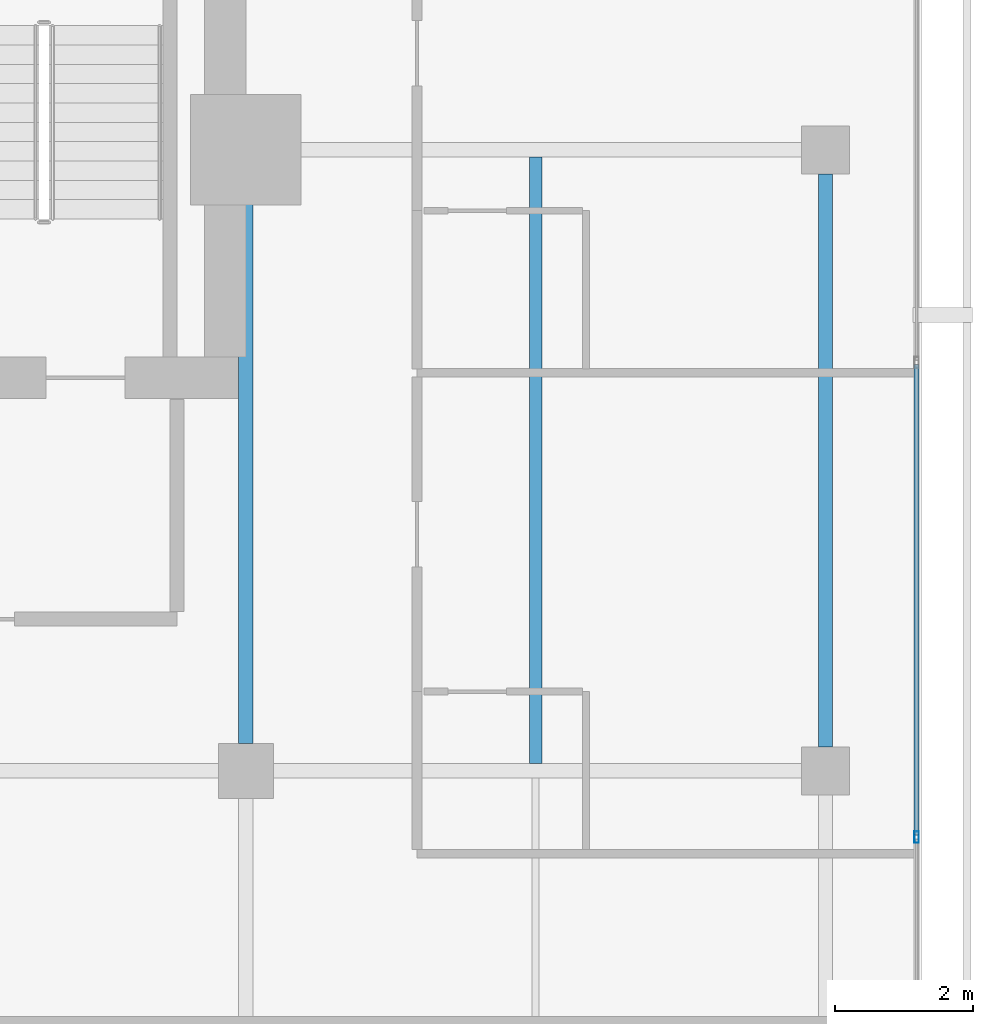
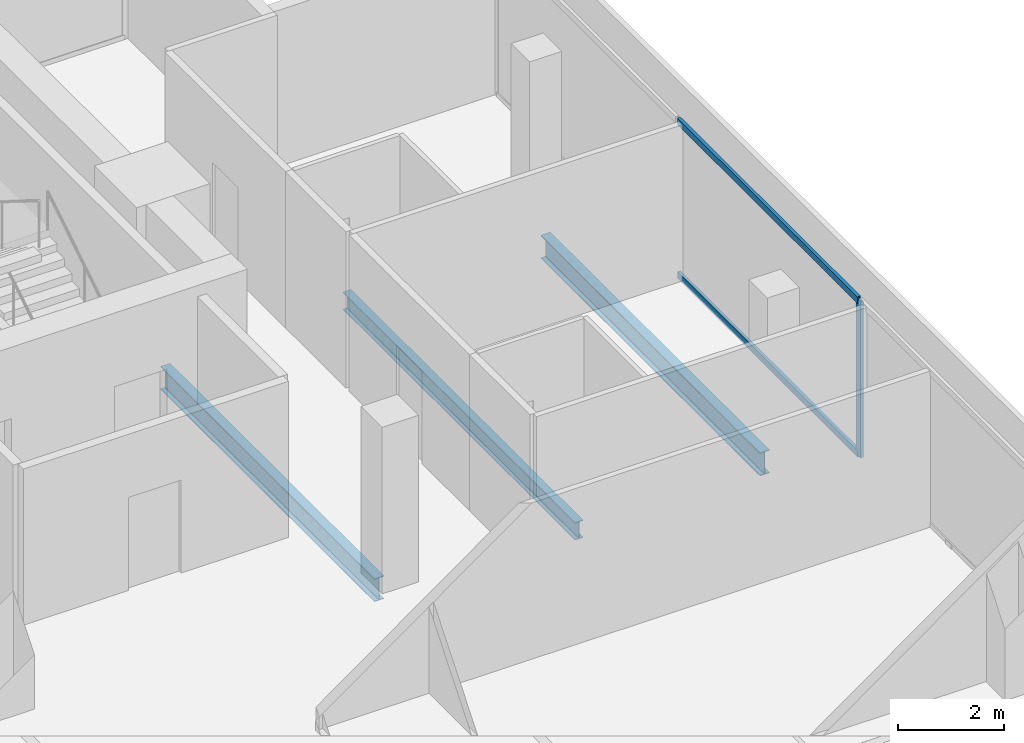
# One storey, part 15 of 25: 3 beams, 3 members, 1 element without a shape of its own.
"""IFC4 building model written with IfcOpenShell, lengths in metres."""

from ifc_helpers import new_model, si_unit, direction, frame, origin, origin_2d, place, context, subcontext, project, spatial, hollow_rectangle, i_section, extrude, material, layer, layer_set, material_profile, profile_set, type_object, element, aggregate, save


model = new_model("IFC4")

# Units and contexts
model_context = context("Model", 3, precision=1e-05, world=origin(), true_north=direction((0.0, 1.0)))
body_context = subcontext(model_context, "Body", "Model", "MODEL_VIEW")
ifc_project = project(units=[si_unit("LENGTHUNIT", "METRE"), si_unit("AREAUNIT", "SQUARE_METRE"), si_unit("VOLUMEUNIT", "CUBIC_METRE"), si_unit("PLANEANGLEUNIT", "RADIAN"), si_unit("MASSUNIT", "GRAM", prefix="KILO")], contexts=[model_context])

# Site, building, storey
site_placement = place(None, origin())
site = spatial("IfcSite", under=ifc_project, at=site_placement, CompositionType="ELEMENT")
building_placement = place(site_placement, origin())
building = spatial("IfcBuilding", under=site, at=building_placement, Name="Maruvema Waterfront Hotel and Observation Tower", CompositionType="ELEMENT")
storey_placement = place(building_placement, frame((0.0, 0.0, 250.949951171875)))
storey = spatial("IfcBuildingStorey", under=building, at=storey_placement, Name="L61", CompositionType="ELEMENT", Elevation=250.949951171875)

# Curtain wall, members
ifc_material_1 = material(Name="Anodised bronze aluminium and solar-control low-E IGU", Category="aluminium")
ifc_layer = layer(ifc_material_1, 0.159912109375, Name="Zone 3 Champagne Inner Thermal Curtain Wall System CW-04")
ifc_layer_set = layer_set([ifc_layer], Name="Anodised bronze aluminium and solar-control low-E IGU")
curtain_wall_type = type_object("IfcCurtainWallType", Name="Zone 3 Champagne Inner Thermal Curtain Wall System CW-04", PredefinedType="USERDEFINED", material=ifc_layer_set)
curtain_wall_placement = place(storey_placement, origin())
curtain_wall = element("IfcCurtainWall", 1, at=curtain_wall_placement, inside=storey, type_object=curtain_wall_type, Name="L61 Curtain Wall CW-L61-E", ObjectType="UNITISED CURTAIN WALL", PredefinedType="USERDEFINED")
ifc_material_2 = material(Name="Anodised architectural bronze aluminium", Category="aluminium")
ifc_material_profile_1 = material_profile(ifc_material_2, hollow_rectangle(XDim=0.070068359375, YDim=0.14990234375, WallThickness=0.00390625, at=origin_2d()), Name="ALU-T70x150")
ifc_profile_set_1 = profile_set([ifc_material_profile_1], Name="Anodised architectural bronze aluminium")
member_type_1 = type_object("IfcMemberType", Name="Curtain Wall Horizontal Transom ALU-T70x150", PredefinedType="USERDEFINED", material=ifc_profile_set_1)
member_1_placement = place(storey_placement, frame((60.1201171875, 35.070068359375, 0.030029296875), z_axis=(0.0, 1.0, 0.0), x_axis=(-1.0, 0.0, 0.0)))
member_1 = element("IfcMember", 2, at=member_1_placement, type_object=member_type_1, Name="CW-04 transom 4.1", ObjectType="TRANSOM", PredefinedType="USERDEFINED", context=body_context, shape_type="SweptSolid", body=[
    extrude(hollow_rectangle(XDim=0.070068359375, YDim=0.14990234375, WallThickness=0.00390625, at=origin_2d()), origin(), (0.0, 0.0, 1.0), 6.81982421875),
])
member_2_placement = place(storey_placement, frame((60.1201171875, 35.070068359375, 3.580078125), z_axis=(0.0, 1.0, 0.0), x_axis=(-1.0, 0.0, 0.0)))
member_2 = element("IfcMember", 3, at=member_2_placement, type_object=member_type_1, Name="CW-04 transom 4.2", ObjectType="TRANSOM", PredefinedType="USERDEFINED", context=body_context, shape_type="SweptSolid", body=[
    extrude(hollow_rectangle(XDim=0.070068359375, YDim=0.14990234375, WallThickness=0.00390625, at=origin_2d()), origin(), (0.0, 0.0, 1.0), 6.81982421875),
])
ifc_material_3 = material(Name="Anodised architectural bronze aluminium", Category="aluminium")
ifc_material_profile_2 = material_profile(ifc_material_3, hollow_rectangle(XDim=0.06494140625, YDim=0.1650390625, WallThickness=0.00390625, at=origin_2d()), Name="ALU-M65x165")
ifc_profile_set_2 = profile_set([ifc_material_profile_2], Name="Anodised architectural bronze aluminium")
member_type_2 = type_object("IfcMemberType", Name="Curtain Wall Primary Mullion ALU-M65x165", PredefinedType="MULLION", material=ifc_profile_set_2)
member_3_placement = place(storey_placement, frame((60.1201171875, 35.0400390625, 0.0), z_axis=(0.0, 0.0, 1.0), x_axis=(-1.0, 0.0, 0.0)))
member_3 = element("IfcMember", 4, at=member_3_placement, type_object=member_type_2, Name="CW-04 mullion 4", PredefinedType="MULLION", context=body_context, shape_type="SweptSolid", body=[
    extrude(hollow_rectangle(XDim=0.06494140625, YDim=0.1650390625, WallThickness=0.00390625, at=origin_2d()), origin(), (0.0, 0.0, 1.0), 3.610107421875),
])
aggregate(curtain_wall, [member_3, member_1, member_2])

# Beams
ifc_material_4 = material(Name="Steel ASTM A572 Grade 50", Category="steel")
ifc_material_profile_3 = material_profile(ifc_material_4, i_section(OverallWidth=0.208984375, OverallDepth=0.532958984375, WebThickness=0.01025390625, FlangeThickness=0.015625, FilletRadius=0.014892578125, at=origin_2d()), Name="W530x92.0")
ifc_profile_set_3 = profile_set([ifc_material_profile_3], Name="Steel ASTM A572 Grade 50")
beam_type_1 = type_object("IfcBeamType", Name="Primary Floor Girder W530x92.0", PredefinedType="BEAM", material=ifc_profile_set_3)
beam_1_placement = place(storey_placement, frame((50.39990234375, 36.39990234375, -0.50634765625), z_axis=(0.0, 1.0, 0.0), x_axis=(-1.0, 0.0, 0.0)))
element("IfcBeam", 5, at=beam_1_placement, inside=storey, type_object=beam_type_1, Name="L61 Floor Girder NS-15", PredefinedType="BEAM", context=body_context, shape_type="SweptSolid", body=[
    extrude(i_section(OverallWidth=0.208984375, OverallDepth=0.532958984375, WebThickness=0.01025390625, FlangeThickness=0.015625, FilletRadius=0.014892578125, at=origin_2d()), origin(), (0.0, 0.0, 1.0), 8.10009765625),
])
beam_2_placement = place(storey_placement, frame((58.800048828125, 36.35009765625, -0.50634765625), z_axis=(0.0, 1.0, 0.0), x_axis=(-1.0, 0.0, 0.0)))
element("IfcBeam", 6, at=beam_2_placement, inside=storey, type_object=beam_type_1, Name="L61 Floor Girder NS-18", PredefinedType="BEAM", context=body_context, shape_type="SweptSolid", body=[
    extrude(i_section(OverallWidth=0.208984375, OverallDepth=0.532958984375, WebThickness=0.01025390625, FlangeThickness=0.015625, FilletRadius=0.014892578125, at=origin_2d()), origin(), (0.0, 0.0, 1.0), 8.2998046875),
])
ifc_material_5 = material(Name="Steel ASTM A572 Grade 50", Category="steel")
ifc_material_profile_4 = material_profile(ifc_material_5, i_section(OverallWidth=0.177001953125, OverallDepth=0.403076171875, WebThickness=0.007568359375, FlangeThickness=0.010986328125, FilletRadius=0.014892578125, at=origin_2d()), Name="W410x53.0")
ifc_profile_set_4 = profile_set([ifc_material_profile_4], Name="Steel ASTM A572 Grade 50")
beam_type_2 = type_object("IfcBeamType", Name="Secondary Floor Joist W410x53.0", PredefinedType="JOIST", material=ifc_profile_set_4)
beam_3_placement = place(storey_placement, frame((54.60009765625, 36.1044921875, -0.44140625), z_axis=(0.0, 1.0, 0.0), x_axis=(-1.0, 0.0, 0.0)))
element("IfcBeam", 7, at=beam_3_placement, inside=storey, type_object=beam_type_2, Name="L61 Secondary Floor Joist JS-09", PredefinedType="JOIST", context=body_context, shape_type="SweptSolid", body=[
    extrude(i_section(OverallWidth=0.177001953125, OverallDepth=0.403076171875, WebThickness=0.007568359375, FlangeThickness=0.010986328125, FilletRadius=0.014892578125, at=origin_2d()), origin(), (0.0, 0.0, 1.0), 8.791015625),
])

save(model, "model.ifc")
